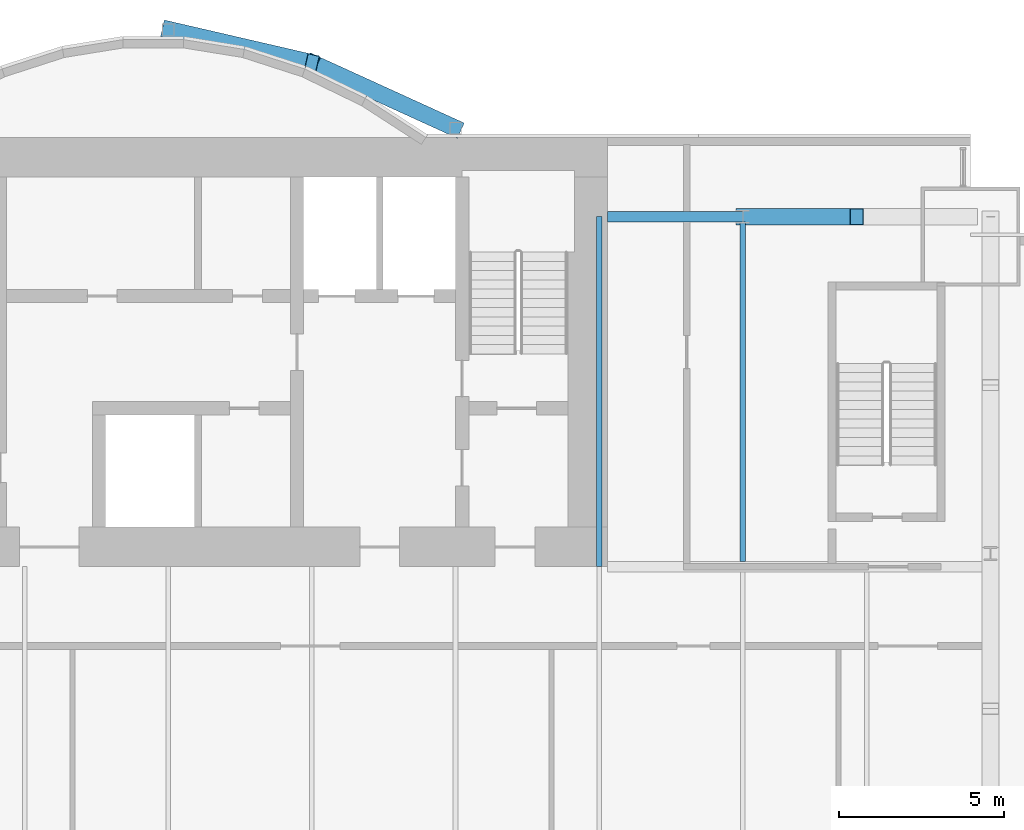
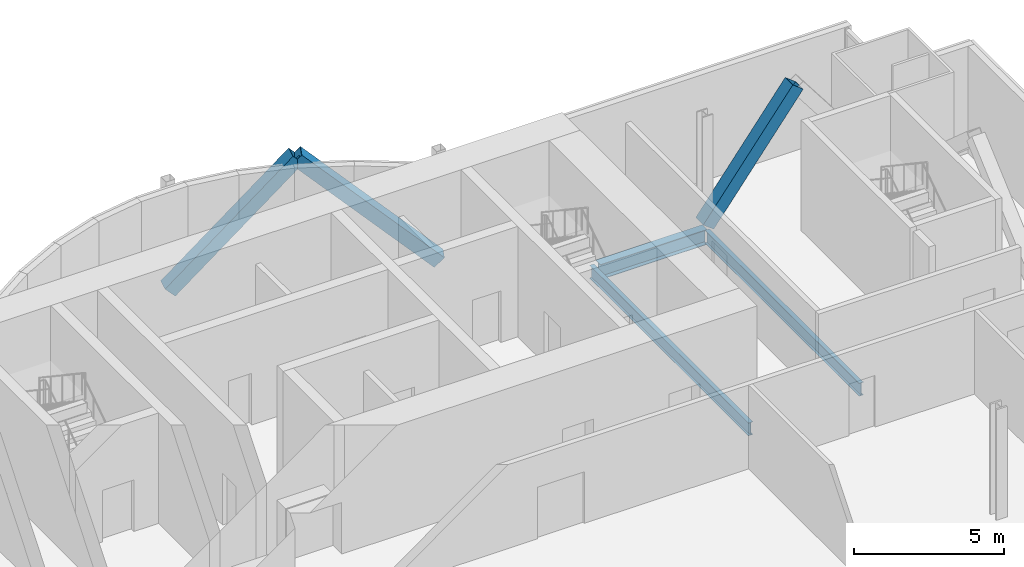
# One storey, part 11 of 21: 3 beams, 3 members.
"""IFC4 building model written with IfcOpenShell, lengths in metres."""

from ifc_helpers import new_model, si_unit, direction, frame, origin, origin_2d, place, context, subcontext, project, spatial, hollow_rectangle, i_section, extrude, material, material_profile, profile_set, type_object, element, save


model = new_model("IFC4")

# Units and contexts
model_context = context("Model", 3, precision=1e-05, world=origin(), true_north=direction((0.0, 1.0)))
body_context = subcontext(model_context, "Body", "Model", "MODEL_VIEW")
ifc_project = project(units=[si_unit("LENGTHUNIT", "METRE"), si_unit("AREAUNIT", "SQUARE_METRE"), si_unit("VOLUMEUNIT", "CUBIC_METRE"), si_unit("PLANEANGLEUNIT", "RADIAN"), si_unit("MASSUNIT", "GRAM", prefix="KILO")], contexts=[model_context])

# Site, building, storey
site_placement = place(None, origin())
site = spatial("IfcSite", under=ifc_project, at=site_placement, CompositionType="ELEMENT")
building_placement = place(site_placement, origin())
building = spatial("IfcBuilding", under=site, at=building_placement, Name="Bicima Exchange Tower", CompositionType="ELEMENT")
storey_placement = place(building_placement, frame((0.0, 0.0, 66.5)))
storey = spatial("IfcBuildingStorey", under=building, at=storey_placement, Name="L13", CompositionType="ELEMENT", Elevation=66.5)

# Beams
ifc_material_1 = material(Name="Steel ASTM A992 Gr 50", Category="steel")
ifc_material_profile_1 = material_profile(ifc_material_1, i_section(OverallWidth=0.165771484375, OverallDepth=0.5283203125, WebThickness=0.009765625, FlangeThickness=0.013671875, at=origin_2d()))
ifc_profile_set_1 = profile_set([ifc_material_profile_1], Name="Steel ASTM A992 Gr 50")
beam_type_1 = type_object("IfcBeamType", Name="Floor beam W21x50", PredefinedType="JOIST", material=ifc_profile_set_1)
beam_1_placement = place(storey_placement, frame((21.75, -2.39990234375, -0.414306640625), z_axis=(0.0, -1.0, 0.0), x_axis=(1.0, 0.0, 0.0)))
element("IfcBeam", 1, at=beam_1_placement, inside=storey, type_object=beam_type_1, Name="Floor beam", PredefinedType="JOIST", context=body_context, shape_type="SweptSolid", body=[
    extrude(i_section(OverallWidth=0.165771484375, OverallDepth=0.5283203125, WebThickness=0.009765625, FlangeThickness=0.013671875, at=origin_2d()), origin(), (0.0, 0.0, 1.0), 10.60009765625),
])
beam_2_placement = place(storey_placement, frame((26.10009765625, -2.5625, -0.414306640625), z_axis=(0.0, -1.0, 0.0), x_axis=(1.0, 0.0, 0.0)))
element("IfcBeam", 2, at=beam_2_placement, inside=storey, type_object=beam_type_1, Name="Floor beam", PredefinedType="JOIST", context=body_context, shape_type="SweptSolid", body=[
    extrude(i_section(OverallWidth=0.165771484375, OverallDepth=0.5283203125, WebThickness=0.009765625, FlangeThickness=0.013671875, at=origin_2d()), origin(), (0.0, 0.0, 1.0), 10.28515625),
])

# Members
ifc_material_2 = material(Name="Steel ASTM A572 Gr 50", Category="steel")
ifc_material_profile_2 = material_profile(ifc_material_2, hollow_rectangle(XDim=0.508056640625, YDim=0.508056640625, WallThickness=0.017822265625, at=origin_2d()))
ifc_profile_set_2 = profile_set([ifc_material_profile_2], Name="Steel ASTM A572 Gr 50")
member_type = type_object("IfcMemberType", Name="Mega brace HSS20x20x3/4", PredefinedType="BRACE", material=ifc_profile_set_2)
member_1_placement = place(storey_placement, frame((8.699951171875, 3.26904296875, 0.0), z_axis=(0.686212303743, -0.158786245837, 0.709858860848), x_axis=(0.225438503722, 0.974257399787, 0.0)))
element("IfcMember", 3, at=member_1_placement, inside=storey, type_object=member_type, Name="Mega brace rexo", PredefinedType="BRACE", context=body_context, shape_type="SweptSolid", body=[
    extrude(hollow_rectangle(XDim=0.508056640625, YDim=0.508056640625, WallThickness=0.017822265625, at=origin_2d()), origin(), (0.0, 0.0, 1.0), 6.33935546875),
])
member_2_placement = place(storey_placement, frame((17.39990234375, 0.278076171875, 0.0), z_axis=(-0.662507516739, 0.302231638101, 0.685375683254), x_axis=(-0.415045223819, -0.909800781592, 0.0)))
element("IfcMember", 4, at=member_2_placement, inside=storey, type_object=member_type, Name="Mega brace rexo", PredefinedType="BRACE", context=body_context, shape_type="SweptSolid", body=[
    extrude(hollow_rectangle(XDim=0.508056640625, YDim=0.508056640625, WallThickness=0.017822265625, at=origin_2d()), origin(), (0.0, 0.0, 1.0), 6.565673828125),
])
member_3_placement = place(storey_placement, frame((26.10009765625, -2.39990234375, 0.0), z_axis=(0.608426120198, 0.0, 0.793610519248), x_axis=(0.0, 1.0, 0.0)))
element("IfcMember", 5, at=member_3_placement, inside=storey, type_object=member_type, Name="Mega brace rear", PredefinedType="BRACE", context=body_context, shape_type="SweptSolid", body=[
    extrude(hollow_rectangle(XDim=0.508056640625, YDim=0.508056640625, WallThickness=0.017822265625, at=origin_2d()), origin(), (0.0, 0.0, 1.0), 5.670166015625),
])

# Beam
ifc_material_profile_3 = material_profile(ifc_material_1, i_section(OverallWidth=0.3251953125, OverallDepth=0.612060546875, WebThickness=0.0126953125, FlangeThickness=0.01904296875, at=origin_2d()))
ifc_profile_set_3 = profile_set([ifc_material_profile_3], Name="Steel ASTM A992 Gr 50")
beam_type_2 = type_object("IfcBeamType", Name="Rear girder W24x104", PredefinedType="BEAM", material=ifc_profile_set_3)
beam_3_placement = place(storey_placement, frame((22.0, -2.39990234375, -0.4560546875), z_axis=(1.0, 0.0, 0.0), x_axis=(0.0, 1.0, 0.0)))
element("IfcBeam", 6, at=beam_3_placement, inside=storey, type_object=beam_type_2, Name="Rear girder", PredefinedType="BEAM", context=body_context, shape_type="SweptSolid", body=[
    extrude(i_section(OverallWidth=0.3251953125, OverallDepth=0.612060546875, WebThickness=0.0126953125, FlangeThickness=0.01904296875, at=origin_2d()), origin(), (0.0, 0.0, 1.0), 4.10009765625),
])

save(model, "model.ifc")
